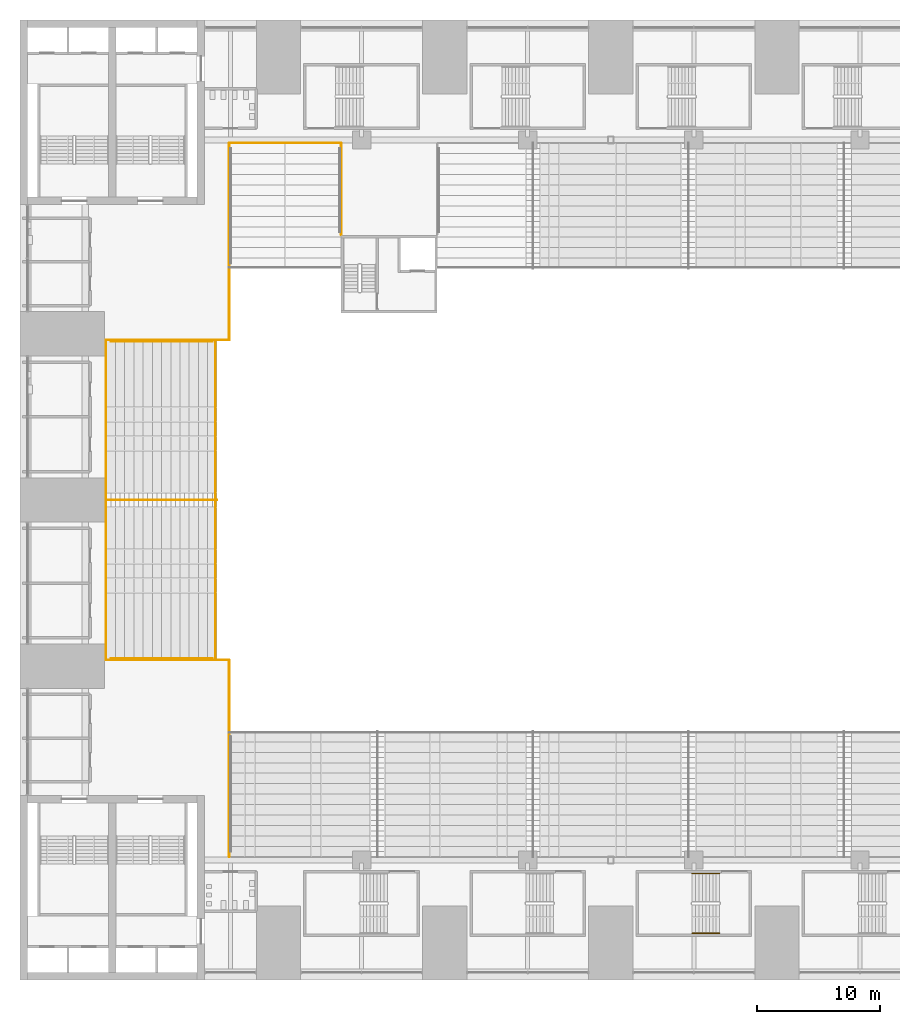
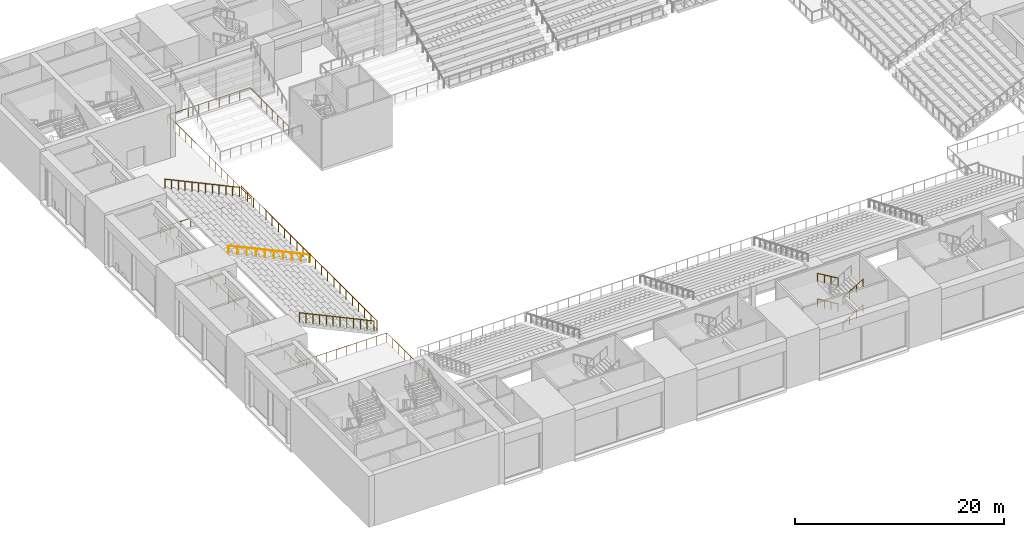
# One storey, part 53 of 61: 4 railings.
"""IFC4 building model written with IfcOpenShell, lengths in metres."""

from ifc_helpers import new_model, si_unit, direction, frame, origin, origin_2d, place, context, subcontext, project, spatial, circle, extrude, material, type_object, element, save


model = new_model("IFC4")

# Units and contexts
model_context = context("Model", 3, precision=1e-05, world=origin(), true_north=direction((0.0, 1.0)))
body_context = subcontext(model_context, "Body", "Model", "MODEL_VIEW")
ifc_project = project(units=[si_unit("LENGTHUNIT", "METRE"), si_unit("AREAUNIT", "SQUARE_METRE"), si_unit("VOLUMEUNIT", "CUBIC_METRE"), si_unit("PLANEANGLEUNIT", "RADIAN"), si_unit("MASSUNIT", "GRAM", prefix="KILO")], contexts=[model_context])

# Site, building, storey
site_placement = place(None, origin())
site = spatial("IfcSite", under=ifc_project, at=site_placement, CompositionType="ELEMENT")
building_placement = place(site_placement, origin())
building = spatial("IfcBuilding", under=site, at=building_placement, Name="Corbelhall Arena Tower", CompositionType="ELEMENT")
storey_placement = place(building_placement, frame((0.0, 0.0, 31.0)))
storey = spatial("IfcBuildingStorey", under=building, at=storey_placement, Name="L04", CompositionType="ELEMENT", Elevation=31.0)

# Railings
ifc_material_1 = material(Name="Stainless steel A4 and laminated glass", Category="steel")
railing_type_1 = type_object("IfcRailingType", Name="AR-GUARD-GLASS", PredefinedType="GUARDRAIL", material=ifc_material_1)
railing_1_placement = place(storey_placement, frame((-32.10009765625, 13.0, 1.800048828125)))
element("IfcRailing", 1, at=railing_1_placement, inside=storey, type_object=railing_type_1, Name="Tier guards UW", PredefinedType="GUARDRAIL", context=body_context, shape_type="SweptSolid", body=[
    extrude(circle(Radius=0.02392578125, at=origin_2d()), frame((0.0, 0.0, 1.076171875), z_axis=(0.0, -1.0, 0.0), x_axis=(1.0, 0.0, 0.0)), (0.0, 0.0, 1.0), 26.0),
    extrude(circle(Radius=0.02392578125, at=origin_2d()), frame((-0.27490234375, -0.1201171875, 1.076171875), z_axis=(-0.906250957626, 0.0, 0.422740111419), x_axis=(0.0, -1.0, 0.0)), (0.0, 0.0, 1.0), 0.82763671875),
    extrude(circle(Radius=0.02392578125, at=origin_2d()), frame((-1.02490234375, -0.1201171875, 1.42578125), z_axis=(-0.906137920931, 0.0, 0.42298234981), x_axis=(0.0, -1.0, 0.0)), (0.0, 0.0, 1.0), 0.82763671875),
    extrude(circle(Radius=0.02392578125, at=origin_2d()), frame((-1.77490234375, -0.1201171875, 1.77587890625), z_axis=(-0.906137920931, 0.0, 0.42298234981), x_axis=(0.0, -1.0, 0.0)), (0.0, 0.0, 1.0), 0.82763671875),
    extrude(circle(Radius=0.02392578125, at=origin_2d()), frame((-2.52490234375, -0.1201171875, 2.1259765625), z_axis=(-0.906250957626, 0.0, 0.422740111419), x_axis=(0.0, -1.0, 0.0)), (0.0, 0.0, 1.0), 0.82763671875),
    extrude(circle(Radius=0.02392578125, at=origin_2d()), frame((-3.27490234375, -0.1201171875, 2.47607421875), z_axis=(-0.906137920931, 0.0, 0.42298234981), x_axis=(0.0, -1.0, 0.0)), (0.0, 0.0, 1.0), 0.82763671875),
    extrude(circle(Radius=0.02392578125, at=origin_2d()), frame((-4.02490234375, -0.1201171875, 2.826171875), z_axis=(-0.906250957626, 0.0, 0.422740111419), x_axis=(0.0, -1.0, 0.0)), (0.0, 0.0, 1.0), 0.82763671875),
    extrude(circle(Radius=0.02392578125, at=origin_2d()), frame((-4.77490234375, -0.1201171875, 3.17578125), z_axis=(-0.906137920931, 0.0, 0.42298234981), x_axis=(0.0, -1.0, 0.0)), (0.0, 0.0, 1.0), 0.82763671875),
    extrude(circle(Radius=0.02392578125, at=origin_2d()), frame((-5.52490234375, -0.1201171875, 3.52587890625), z_axis=(-0.906137920931, 0.0, 0.42298234981), x_axis=(0.0, -1.0, 0.0)), (0.0, 0.0, 1.0), 0.82763671875),
    extrude(circle(Radius=0.02392578125, at=origin_2d()), frame((-6.27490234375, -0.1201171875, 3.8759765625), z_axis=(-0.906250957626, 0.0, 0.422740111419), x_axis=(0.0, -1.0, 0.0)), (0.0, 0.0, 1.0), 0.82763671875),
    extrude(circle(Radius=0.02392578125, at=origin_2d()), frame((-7.02490234375, -0.1201171875, 4.22607421875), z_axis=(-0.906137920931, 0.0, 0.42298234981), x_axis=(0.0, -1.0, 0.0)), (0.0, 0.0, 1.0), 0.82763671875),
    extrude(circle(Radius=0.02392578125, at=origin_2d()), frame((-7.77490234375, -0.1201171875, 4.576171875), z_axis=(-0.906250957626, 0.0, 0.422740111419), x_axis=(0.0, -1.0, 0.0)), (0.0, 0.0, 1.0), 0.82763671875),
    extrude(circle(Radius=0.02392578125, at=origin_2d()), frame((-0.27490234375, -25.8798828125, 1.076171875), z_axis=(-0.906250957626, 0.0, 0.422740111419), x_axis=(0.0, -1.0, 0.0)), (0.0, 0.0, 1.0), 0.82763671875),
    extrude(circle(Radius=0.02392578125, at=origin_2d()), frame((-1.02490234375, -25.8798828125, 1.42578125), z_axis=(-0.906137920931, 0.0, 0.42298234981), x_axis=(0.0, -1.0, 0.0)), (0.0, 0.0, 1.0), 0.82763671875),
    extrude(circle(Radius=0.02392578125, at=origin_2d()), frame((-1.77490234375, -25.8798828125, 1.77587890625), z_axis=(-0.906137920931, 0.0, 0.42298234981), x_axis=(0.0, -1.0, 0.0)), (0.0, 0.0, 1.0), 0.82763671875),
    extrude(circle(Radius=0.02392578125, at=origin_2d()), frame((-2.52490234375, -25.8798828125, 2.1259765625), z_axis=(-0.906250957626, 0.0, 0.422740111419), x_axis=(0.0, -1.0, 0.0)), (0.0, 0.0, 1.0), 0.82763671875),
    extrude(circle(Radius=0.02392578125, at=origin_2d()), frame((-3.27490234375, -25.8798828125, 2.47607421875), z_axis=(-0.906137920931, 0.0, 0.42298234981), x_axis=(0.0, -1.0, 0.0)), (0.0, 0.0, 1.0), 0.82763671875),
    extrude(circle(Radius=0.02392578125, at=origin_2d()), frame((-4.02490234375, -25.8798828125, 2.826171875), z_axis=(-0.906250957626, 0.0, 0.422740111419), x_axis=(0.0, -1.0, 0.0)), (0.0, 0.0, 1.0), 0.82763671875),
    extrude(circle(Radius=0.02392578125, at=origin_2d()), frame((-4.77490234375, -25.8798828125, 3.17578125), z_axis=(-0.906137920931, 0.0, 0.42298234981), x_axis=(0.0, -1.0, 0.0)), (0.0, 0.0, 1.0), 0.82763671875),
    extrude(circle(Radius=0.02392578125, at=origin_2d()), frame((-5.52490234375, -25.8798828125, 3.52587890625), z_axis=(-0.906137920931, 0.0, 0.42298234981), x_axis=(0.0, -1.0, 0.0)), (0.0, 0.0, 1.0), 0.82763671875),
    extrude(circle(Radius=0.02392578125, at=origin_2d()), frame((-6.27490234375, -25.8798828125, 3.8759765625), z_axis=(-0.906250957626, 0.0, 0.422740111419), x_axis=(0.0, -1.0, 0.0)), (0.0, 0.0, 1.0), 0.82763671875),
    extrude(circle(Radius=0.02392578125, at=origin_2d()), frame((-7.02490234375, -25.8798828125, 4.22607421875), z_axis=(-0.906137920931, 0.0, 0.42298234981), x_axis=(0.0, -1.0, 0.0)), (0.0, 0.0, 1.0), 0.82763671875),
    extrude(circle(Radius=0.02392578125, at=origin_2d()), frame((-7.77490234375, -25.8798828125, 4.576171875), z_axis=(-0.906250957626, 0.0, 0.422740111419), x_axis=(0.0, -1.0, 0.0)), (0.0, 0.0, 1.0), 0.82763671875),
    extrude(circle(Radius=0.02099609375, at=origin_2d()), origin(), (0.0, 0.0, 1.0), 1.052001953125),
    extrude(circle(Radius=0.02099609375, at=origin_2d()), frame((0.0, -1.181884765625, 0.0)), (0.0, 0.0, 1.0), 1.052001953125),
    extrude(circle(Radius=0.02099609375, at=origin_2d()), frame((0.0, -2.363525390625, 0.0)), (0.0, 0.0, 1.0), 1.052001953125),
    extrude(circle(Radius=0.02099609375, at=origin_2d()), frame((0.0, -3.54541015625, 0.0)), (0.0, 0.0, 1.0), 1.052001953125),
    extrude(circle(Radius=0.02099609375, at=origin_2d()), frame((0.0, -4.727294921875, 0.0)), (0.0, 0.0, 1.0), 1.052001953125),
    extrude(circle(Radius=0.02099609375, at=origin_2d()), frame((0.0, -5.9091796875, 0.0)), (0.0, 0.0, 1.0), 1.052001953125),
    extrude(circle(Radius=0.02099609375, at=origin_2d()), frame((0.0, -7.0908203125, 0.0)), (0.0, 0.0, 1.0), 1.052001953125),
    extrude(circle(Radius=0.02099609375, at=origin_2d()), frame((0.0, -8.272705078125, 0.0)), (0.0, 0.0, 1.0), 1.052001953125),
    extrude(circle(Radius=0.02099609375, at=origin_2d()), frame((0.0, -9.45458984375, 0.0)), (0.0, 0.0, 1.0), 1.052001953125),
    extrude(circle(Radius=0.02099609375, at=origin_2d()), frame((0.0, -10.636474609375, 0.0)), (0.0, 0.0, 1.0), 1.052001953125),
    extrude(circle(Radius=0.02099609375, at=origin_2d()), frame((0.0, -11.818115234375, 0.0)), (0.0, 0.0, 1.0), 1.052001953125),
    extrude(circle(Radius=0.02099609375, at=origin_2d()), frame((0.0, -13.0, 0.0)), (0.0, 0.0, 1.0), 1.052001953125),
    extrude(circle(Radius=0.02099609375, at=origin_2d()), frame((0.0, -14.181884765625, 0.0)), (0.0, 0.0, 1.0), 1.052001953125),
    extrude(circle(Radius=0.02099609375, at=origin_2d()), frame((0.0, -15.363525390625, 0.0)), (0.0, 0.0, 1.0), 1.052001953125),
    extrude(circle(Radius=0.02099609375, at=origin_2d()), frame((0.0, -16.54541015625, 0.0)), (0.0, 0.0, 1.0), 1.052001953125),
    extrude(circle(Radius=0.02099609375, at=origin_2d()), frame((0.0, -17.727294921875, 0.0)), (0.0, 0.0, 1.0), 1.052001953125),
    extrude(circle(Radius=0.02099609375, at=origin_2d()), frame((0.0, -18.9091796875, 0.0)), (0.0, 0.0, 1.0), 1.052001953125),
    extrude(circle(Radius=0.02099609375, at=origin_2d()), frame((0.0, -20.0908203125, 0.0)), (0.0, 0.0, 1.0), 1.052001953125),
    extrude(circle(Radius=0.02099609375, at=origin_2d()), frame((0.0, -21.272705078125, 0.0)), (0.0, 0.0, 1.0), 1.052001953125),
    extrude(circle(Radius=0.02099609375, at=origin_2d()), frame((0.0, -22.45458984375, 0.0)), (0.0, 0.0, 1.0), 1.052001953125),
    extrude(circle(Radius=0.02099609375, at=origin_2d()), frame((0.0, -23.636474609375, 0.0)), (0.0, 0.0, 1.0), 1.052001953125),
    extrude(circle(Radius=0.02099609375, at=origin_2d()), frame((0.0, -24.818115234375, 0.0)), (0.0, 0.0, 1.0), 1.052001953125),
    extrude(circle(Radius=0.02099609375, at=origin_2d()), frame((0.0, -26.0, 0.0)), (0.0, 0.0, 1.0), 1.052001953125),
    extrude(circle(Radius=0.02099609375, at=origin_2d()), frame((-0.27490234375, -0.1201171875, 0.0)), (0.0, 0.0, 1.0), 1.052001953125),
    extrude(circle(Radius=0.02099609375, at=origin_2d()), frame((-1.02490234375, -0.1201171875, 0.349853515625)), (0.0, 0.0, 1.0), 1.052001953125),
    extrude(circle(Radius=0.02099609375, at=origin_2d()), frame((-1.77490234375, -0.1201171875, 0.699951171875)), (0.0, 0.0, 1.0), 1.052001953125),
    extrude(circle(Radius=0.02099609375, at=origin_2d()), frame((-2.52490234375, -0.1201171875, 1.050048828125)), (0.0, 0.0, 1.0), 1.052001953125),
    extrude(circle(Radius=0.02099609375, at=origin_2d()), frame((-3.27490234375, -0.1201171875, 1.39990234375)), (0.0, 0.0, 1.0), 1.052001953125),
    extrude(circle(Radius=0.02099609375, at=origin_2d()), frame((-4.02490234375, -0.1201171875, 1.75)), (0.0, 0.0, 1.0), 1.052001953125),
    extrude(circle(Radius=0.02099609375, at=origin_2d()), frame((-4.77490234375, -0.1201171875, 2.099853515625)), (0.0, 0.0, 1.0), 1.052001953125),
    extrude(circle(Radius=0.02099609375, at=origin_2d()), frame((-5.52490234375, -0.1201171875, 2.449951171875)), (0.0, 0.0, 1.0), 1.052001953125),
    extrude(circle(Radius=0.02099609375, at=origin_2d()), frame((-6.27490234375, -0.1201171875, 2.800048828125)), (0.0, 0.0, 1.0), 1.052001953125),
    extrude(circle(Radius=0.02099609375, at=origin_2d()), frame((-7.02490234375, -0.1201171875, 3.14990234375)), (0.0, 0.0, 1.0), 1.052001953125),
    extrude(circle(Radius=0.02099609375, at=origin_2d()), frame((-7.77490234375, -0.1201171875, 3.5)), (0.0, 0.0, 1.0), 1.052001953125),
    extrude(circle(Radius=0.02099609375, at=origin_2d()), frame((-8.52490234375, -0.1201171875, 3.849853515625)), (0.0, 0.0, 1.0), 1.052001953125),
    extrude(circle(Radius=0.02099609375, at=origin_2d()), frame((-0.27490234375, -25.8798828125, 0.0)), (0.0, 0.0, 1.0), 1.052001953125),
    extrude(circle(Radius=0.02099609375, at=origin_2d()), frame((-1.02490234375, -25.8798828125, 0.349853515625)), (0.0, 0.0, 1.0), 1.052001953125),
    extrude(circle(Radius=0.02099609375, at=origin_2d()), frame((-1.77490234375, -25.8798828125, 0.699951171875)), (0.0, 0.0, 1.0), 1.052001953125),
    extrude(circle(Radius=0.02099609375, at=origin_2d()), frame((-2.52490234375, -25.8798828125, 1.050048828125)), (0.0, 0.0, 1.0), 1.052001953125),
    extrude(circle(Radius=0.02099609375, at=origin_2d()), frame((-3.27490234375, -25.8798828125, 1.39990234375)), (0.0, 0.0, 1.0), 1.052001953125),
    extrude(circle(Radius=0.02099609375, at=origin_2d()), frame((-4.02490234375, -25.8798828125, 1.75)), (0.0, 0.0, 1.0), 1.052001953125),
    extrude(circle(Radius=0.02099609375, at=origin_2d()), frame((-4.77490234375, -25.8798828125, 2.099853515625)), (0.0, 0.0, 1.0), 1.052001953125),
    extrude(circle(Radius=0.02099609375, at=origin_2d()), frame((-5.52490234375, -25.8798828125, 2.449951171875)), (0.0, 0.0, 1.0), 1.052001953125),
    extrude(circle(Radius=0.02099609375, at=origin_2d()), frame((-6.27490234375, -25.8798828125, 2.800048828125)), (0.0, 0.0, 1.0), 1.052001953125),
    extrude(circle(Radius=0.02099609375, at=origin_2d()), frame((-7.02490234375, -25.8798828125, 3.14990234375)), (0.0, 0.0, 1.0), 1.052001953125),
    extrude(circle(Radius=0.02099609375, at=origin_2d()), frame((-7.77490234375, -25.8798828125, 3.5)), (0.0, 0.0, 1.0), 1.052001953125),
    extrude(circle(Radius=0.02099609375, at=origin_2d()), frame((-8.52490234375, -25.8798828125, 3.849853515625)), (0.0, 0.0, 1.0), 1.052001953125),
])
railing_2_placement = place(storey_placement, frame((-31.0, -29.0, 0.0)))
element("IfcRailing", 2, at=railing_2_placement, inside=storey, type_object=railing_type_1, Name="Bowl void guard L04 1", PredefinedType="GUARDRAIL", context=body_context, shape_type="SweptSolid", body=[
    extrude(circle(Radius=0.02392578125, at=origin_2d()), frame((0.0, 0.0, 1.076171875), z_axis=(0.0, 1.0, 0.0), x_axis=(-1.0, 0.0, 0.0)), (0.0, 0.0, 1.0), 16.0),
    extrude(circle(Radius=0.02392578125, at=origin_2d()), frame((0.0, 16.0, 1.076171875), z_axis=(-1.0, 0.0, 0.0), x_axis=(0.0, -1.0, 0.0)), (0.0, 0.0, 1.0), 10.0),
    extrude(circle(Radius=0.02392578125, at=origin_2d()), frame((-10.0, 16.0, 1.076171875), z_axis=(0.0, 1.0, 0.0), x_axis=(-1.0, 0.0, 0.0)), (0.0, 0.0, 1.0), 26.0),
    extrude(circle(Radius=0.02392578125, at=origin_2d()), frame((-10.0, 42.0, 1.076171875), z_axis=(1.0, 0.0, 0.0), x_axis=(0.0, 1.0, 0.0)), (0.0, 0.0, 1.0), 10.0),
    extrude(circle(Radius=0.02392578125, at=origin_2d()), frame((0.0, 42.0, 1.076171875), z_axis=(0.0, 1.0, 0.0), x_axis=(-1.0, 0.0, 0.0)), (0.0, 0.0, 1.0), 16.0),
    extrude(circle(Radius=0.02392578125, at=origin_2d()), frame((0.0, 58.0, 1.076171875), z_axis=(1.0, 0.0, 0.0), x_axis=(0.0, 1.0, 0.0)), (0.0, 0.0, 1.0), 9.10009765625),
    extrude(circle(Radius=0.02392578125, at=origin_2d()), frame((9.10009765625, 58.0, 1.076171875), z_axis=(0.0, -1.0, 0.0), x_axis=(1.0, 0.0, 0.0)), (0.0, 0.0, 1.0), 7.449951171875),
    extrude(circle(Radius=0.02099609375, at=origin_2d()), origin(), (0.0, 0.0, 1.0), 1.052001953125),
    extrude(circle(Radius=0.02099609375, at=origin_2d()), frame((0.0, 1.142822265625, 0.0)), (0.0, 0.0, 1.0), 1.052001953125),
    extrude(circle(Radius=0.02099609375, at=origin_2d()), frame((0.0, 2.28564453125, 0.0)), (0.0, 0.0, 1.0), 1.052001953125),
    extrude(circle(Radius=0.02099609375, at=origin_2d()), frame((0.0, 3.428466796875, 0.0)), (0.0, 0.0, 1.0), 1.052001953125),
    extrude(circle(Radius=0.02099609375, at=origin_2d()), frame((0.0, 4.571533203125, 0.0)), (0.0, 0.0, 1.0), 1.052001953125),
    extrude(circle(Radius=0.02099609375, at=origin_2d()), frame((0.0, 5.71435546875, 0.0)), (0.0, 0.0, 1.0), 1.052001953125),
    extrude(circle(Radius=0.02099609375, at=origin_2d()), frame((0.0, 6.857177734375, 0.0)), (0.0, 0.0, 1.0), 1.052001953125),
    extrude(circle(Radius=0.02099609375, at=origin_2d()), frame((0.0, 8.0, 0.0)), (0.0, 0.0, 1.0), 1.052001953125),
    extrude(circle(Radius=0.02099609375, at=origin_2d()), frame((0.0, 9.142822265625, 0.0)), (0.0, 0.0, 1.0), 1.052001953125),
    extrude(circle(Radius=0.02099609375, at=origin_2d()), frame((0.0, 10.28564453125, 0.0)), (0.0, 0.0, 1.0), 1.052001953125),
    extrude(circle(Radius=0.02099609375, at=origin_2d()), frame((0.0, 11.428466796875, 0.0)), (0.0, 0.0, 1.0), 1.052001953125),
    extrude(circle(Radius=0.02099609375, at=origin_2d()), frame((0.0, 12.571533203125, 0.0)), (0.0, 0.0, 1.0), 1.052001953125),
    extrude(circle(Radius=0.02099609375, at=origin_2d()), frame((0.0, 13.71435546875, 0.0)), (0.0, 0.0, 1.0), 1.052001953125),
    extrude(circle(Radius=0.02099609375, at=origin_2d()), frame((0.0, 14.857177734375, 0.0)), (0.0, 0.0, 1.0), 1.052001953125),
    extrude(circle(Radius=0.02099609375, at=origin_2d()), frame((0.0, 16.0, 0.0)), (0.0, 0.0, 1.0), 1.052001953125),
    extrude(circle(Radius=0.02099609375, at=origin_2d()), frame((-1.111083984375, 16.0, 0.0)), (0.0, 0.0, 1.0), 1.052001953125),
    extrude(circle(Radius=0.02099609375, at=origin_2d()), frame((-2.22216796875, 16.0, 0.0)), (0.0, 0.0, 1.0), 1.052001953125),
    extrude(circle(Radius=0.02099609375, at=origin_2d()), frame((-3.333251953125, 16.0, 0.0)), (0.0, 0.0, 1.0), 1.052001953125),
    extrude(circle(Radius=0.02099609375, at=origin_2d()), frame((-4.4443359375, 16.0, 0.0)), (0.0, 0.0, 1.0), 1.052001953125),
    extrude(circle(Radius=0.02099609375, at=origin_2d()), frame((-5.5556640625, 16.0, 0.0)), (0.0, 0.0, 1.0), 1.052001953125),
    extrude(circle(Radius=0.02099609375, at=origin_2d()), frame((-6.666748046875, 16.0, 0.0)), (0.0, 0.0, 1.0), 1.052001953125),
    extrude(circle(Radius=0.02099609375, at=origin_2d()), frame((-7.77783203125, 16.0, 0.0)), (0.0, 0.0, 1.0), 1.052001953125),
    extrude(circle(Radius=0.02099609375, at=origin_2d()), frame((-8.888916015625, 16.0, 0.0)), (0.0, 0.0, 1.0), 1.052001953125),
    extrude(circle(Radius=0.02099609375, at=origin_2d()), frame((-10.0, 16.0, 0.0)), (0.0, 0.0, 1.0), 1.052001953125),
    extrude(circle(Radius=0.02099609375, at=origin_2d()), frame((-10.0, 17.181884765625, 0.0)), (0.0, 0.0, 1.0), 1.052001953125),
    extrude(circle(Radius=0.02099609375, at=origin_2d()), frame((-10.0, 18.363525390625, 0.0)), (0.0, 0.0, 1.0), 1.052001953125),
    extrude(circle(Radius=0.02099609375, at=origin_2d()), frame((-10.0, 19.54541015625, 0.0)), (0.0, 0.0, 1.0), 1.052001953125),
    extrude(circle(Radius=0.02099609375, at=origin_2d()), frame((-10.0, 20.727294921875, 0.0)), (0.0, 0.0, 1.0), 1.052001953125),
    extrude(circle(Radius=0.02099609375, at=origin_2d()), frame((-10.0, 21.9091796875, 0.0)), (0.0, 0.0, 1.0), 1.052001953125),
    extrude(circle(Radius=0.02099609375, at=origin_2d()), frame((-10.0, 23.0908203125, 0.0)), (0.0, 0.0, 1.0), 1.052001953125),
    extrude(circle(Radius=0.02099609375, at=origin_2d()), frame((-10.0, 24.272705078125, 0.0)), (0.0, 0.0, 1.0), 1.052001953125),
    extrude(circle(Radius=0.02099609375, at=origin_2d()), frame((-10.0, 25.45458984375, 0.0)), (0.0, 0.0, 1.0), 1.052001953125),
    extrude(circle(Radius=0.02099609375, at=origin_2d()), frame((-10.0, 26.636474609375, 0.0)), (0.0, 0.0, 1.0), 1.052001953125),
    extrude(circle(Radius=0.02099609375, at=origin_2d()), frame((-10.0, 27.818115234375, 0.0)), (0.0, 0.0, 1.0), 1.052001953125),
    extrude(circle(Radius=0.02099609375, at=origin_2d()), frame((-10.0, 29.0, 0.0)), (0.0, 0.0, 1.0), 1.052001953125),
    extrude(circle(Radius=0.02099609375, at=origin_2d()), frame((-10.0, 30.181884765625, 0.0)), (0.0, 0.0, 1.0), 1.052001953125),
    extrude(circle(Radius=0.02099609375, at=origin_2d()), frame((-10.0, 31.363525390625, 0.0)), (0.0, 0.0, 1.0), 1.052001953125),
    extrude(circle(Radius=0.02099609375, at=origin_2d()), frame((-10.0, 32.54541015625, 0.0)), (0.0, 0.0, 1.0), 1.052001953125),
    extrude(circle(Radius=0.02099609375, at=origin_2d()), frame((-10.0, 33.727294921875, 0.0)), (0.0, 0.0, 1.0), 1.052001953125),
    extrude(circle(Radius=0.02099609375, at=origin_2d()), frame((-10.0, 34.9091796875, 0.0)), (0.0, 0.0, 1.0), 1.052001953125),
    extrude(circle(Radius=0.02099609375, at=origin_2d()), frame((-10.0, 36.0908203125, 0.0)), (0.0, 0.0, 1.0), 1.052001953125),
    extrude(circle(Radius=0.02099609375, at=origin_2d()), frame((-10.0, 37.272705078125, 0.0)), (0.0, 0.0, 1.0), 1.052001953125),
    extrude(circle(Radius=0.02099609375, at=origin_2d()), frame((-10.0, 38.45458984375, 0.0)), (0.0, 0.0, 1.0), 1.052001953125),
    extrude(circle(Radius=0.02099609375, at=origin_2d()), frame((-10.0, 39.636474609375, 0.0)), (0.0, 0.0, 1.0), 1.052001953125),
    extrude(circle(Radius=0.02099609375, at=origin_2d()), frame((-10.0, 40.818115234375, 0.0)), (0.0, 0.0, 1.0), 1.052001953125),
    extrude(circle(Radius=0.02099609375, at=origin_2d()), frame((-10.0, 42.0, 0.0)), (0.0, 0.0, 1.0), 1.052001953125),
    extrude(circle(Radius=0.02099609375, at=origin_2d()), frame((-8.888916015625, 42.0, 0.0)), (0.0, 0.0, 1.0), 1.052001953125),
    extrude(circle(Radius=0.02099609375, at=origin_2d()), frame((-7.77783203125, 42.0, 0.0)), (0.0, 0.0, 1.0), 1.052001953125),
    extrude(circle(Radius=0.02099609375, at=origin_2d()), frame((-6.666748046875, 42.0, 0.0)), (0.0, 0.0, 1.0), 1.052001953125),
    extrude(circle(Radius=0.02099609375, at=origin_2d()), frame((-5.5556640625, 42.0, 0.0)), (0.0, 0.0, 1.0), 1.052001953125),
    extrude(circle(Radius=0.02099609375, at=origin_2d()), frame((-4.4443359375, 42.0, 0.0)), (0.0, 0.0, 1.0), 1.052001953125),
    extrude(circle(Radius=0.02099609375, at=origin_2d()), frame((-3.333251953125, 42.0, 0.0)), (0.0, 0.0, 1.0), 1.052001953125),
    extrude(circle(Radius=0.02099609375, at=origin_2d()), frame((-2.22216796875, 42.0, 0.0)), (0.0, 0.0, 1.0), 1.052001953125),
    extrude(circle(Radius=0.02099609375, at=origin_2d()), frame((-1.111083984375, 42.0, 0.0)), (0.0, 0.0, 1.0), 1.052001953125),
    extrude(circle(Radius=0.02099609375, at=origin_2d()), frame((0.0, 42.0, 0.0)), (0.0, 0.0, 1.0), 1.052001953125),
    extrude(circle(Radius=0.02099609375, at=origin_2d()), frame((0.0, 43.142822265625, 0.0)), (0.0, 0.0, 1.0), 1.052001953125),
    extrude(circle(Radius=0.02099609375, at=origin_2d()), frame((0.0, 44.28564453125, 0.0)), (0.0, 0.0, 1.0), 1.052001953125),
    extrude(circle(Radius=0.02099609375, at=origin_2d()), frame((0.0, 45.428466796875, 0.0)), (0.0, 0.0, 1.0), 1.052001953125),
    extrude(circle(Radius=0.02099609375, at=origin_2d()), frame((0.0, 46.571533203125, 0.0)), (0.0, 0.0, 1.0), 1.052001953125),
    extrude(circle(Radius=0.02099609375, at=origin_2d()), frame((0.0, 47.71435546875, 0.0)), (0.0, 0.0, 1.0), 1.052001953125),
    extrude(circle(Radius=0.02099609375, at=origin_2d()), frame((0.0, 48.857177734375, 0.0)), (0.0, 0.0, 1.0), 1.052001953125),
    extrude(circle(Radius=0.02099609375, at=origin_2d()), frame((0.0, 50.0, 0.0)), (0.0, 0.0, 1.0), 1.052001953125),
    extrude(circle(Radius=0.02099609375, at=origin_2d()), frame((0.0, 51.142822265625, 0.0)), (0.0, 0.0, 1.0), 1.052001953125),
    extrude(circle(Radius=0.02099609375, at=origin_2d()), frame((0.0, 52.28564453125, 0.0)), (0.0, 0.0, 1.0), 1.052001953125),
    extrude(circle(Radius=0.02099609375, at=origin_2d()), frame((0.0, 53.428466796875, 0.0)), (0.0, 0.0, 1.0), 1.052001953125),
    extrude(circle(Radius=0.02099609375, at=origin_2d()), frame((0.0, 54.571533203125, 0.0)), (0.0, 0.0, 1.0), 1.052001953125),
    extrude(circle(Radius=0.02099609375, at=origin_2d()), frame((0.0, 55.71435546875, 0.0)), (0.0, 0.0, 1.0), 1.052001953125),
    extrude(circle(Radius=0.02099609375, at=origin_2d()), frame((0.0, 56.857177734375, 0.0)), (0.0, 0.0, 1.0), 1.052001953125),
    extrude(circle(Radius=0.02099609375, at=origin_2d()), frame((0.0, 58.0, 0.0)), (0.0, 0.0, 1.0), 1.052001953125),
    extrude(circle(Radius=0.02099609375, at=origin_2d()), frame((1.137451171875, 58.0, 0.0)), (0.0, 0.0, 1.0), 1.052001953125),
    extrude(circle(Radius=0.02099609375, at=origin_2d()), frame((2.27490234375, 58.0, 0.0)), (0.0, 0.0, 1.0), 1.052001953125),
    extrude(circle(Radius=0.02099609375, at=origin_2d()), frame((3.41259765625, 58.0, 0.0)), (0.0, 0.0, 1.0), 1.052001953125),
    extrude(circle(Radius=0.02099609375, at=origin_2d()), frame((4.550048828125, 58.0, 0.0)), (0.0, 0.0, 1.0), 1.052001953125),
    extrude(circle(Radius=0.02099609375, at=origin_2d()), frame((5.6875, 58.0, 0.0)), (0.0, 0.0, 1.0), 1.052001953125),
    extrude(circle(Radius=0.02099609375, at=origin_2d()), frame((6.8251953125, 58.0, 0.0)), (0.0, 0.0, 1.0), 1.052001953125),
    extrude(circle(Radius=0.02099609375, at=origin_2d()), frame((7.962646484375, 58.0, 0.0)), (0.0, 0.0, 1.0), 1.052001953125),
    extrude(circle(Radius=0.02099609375, at=origin_2d()), frame((9.10009765625, 58.0, 0.0)), (0.0, 0.0, 1.0), 1.052001953125),
    extrude(circle(Radius=0.02099609375, at=origin_2d()), frame((9.10009765625, 56.935791015625, 0.0)), (0.0, 0.0, 1.0), 1.052001953125),
    extrude(circle(Radius=0.02099609375, at=origin_2d()), frame((9.10009765625, 55.871337890625, 0.0)), (0.0, 0.0, 1.0), 1.052001953125),
    extrude(circle(Radius=0.02099609375, at=origin_2d()), frame((9.10009765625, 54.80712890625, 0.0)), (0.0, 0.0, 1.0), 1.052001953125),
    extrude(circle(Radius=0.02099609375, at=origin_2d()), frame((9.10009765625, 53.742919921875, 0.0)), (0.0, 0.0, 1.0), 1.052001953125),
    extrude(circle(Radius=0.02099609375, at=origin_2d()), frame((9.10009765625, 52.6787109375, 0.0)), (0.0, 0.0, 1.0), 1.052001953125),
    extrude(circle(Radius=0.02099609375, at=origin_2d()), frame((9.10009765625, 51.6142578125, 0.0)), (0.0, 0.0, 1.0), 1.052001953125),
    extrude(circle(Radius=0.02099609375, at=origin_2d()), frame((9.10009765625, 50.550048828125, 0.0)), (0.0, 0.0, 1.0), 1.052001953125),
])
ifc_material_2 = material(Name="Stainless steel A4", Category="steel")
railing_type_2 = type_object("IfcRailingType", Name="AR-HANDRAIL-AISLE", PredefinedType="HANDRAIL", material=ifc_material_2)
railing_3_placement = place(storey_placement, frame((-32.0, 0.0, 1.800048828125)))
element("IfcRailing", 3, at=railing_3_placement, inside=storey, type_object=railing_type_2, Name="Aisle handrails UW", PredefinedType="HANDRAIL", context=body_context, shape_type="SweptSolid", body=[
    extrude(circle(Radius=0.02392578125, at=origin_2d()), frame((0.0, 0.0, 0.8759765625), z_axis=(-0.906185023996, 0.0, 0.422881428163), x_axis=(0.0, -1.0, 0.0)), (0.0, 0.0, 1.0), 9.931640625),
    extrude(circle(Radius=0.02099609375, at=origin_2d()), origin(), (0.0, 0.0, 1.0), 0.851806640625),
    extrude(circle(Radius=0.02099609375, at=origin_2d()), frame((-1.0, 0.0, 0.466552734375)), (0.0, 0.0, 1.0), 0.851806640625),
    extrude(circle(Radius=0.02099609375, at=origin_2d()), frame((-2.0, 0.0, 0.933349609375)), (0.0, 0.0, 1.0), 0.851806640625),
    extrude(circle(Radius=0.02099609375, at=origin_2d()), frame((-3.0, 0.0, 1.39990234375)), (0.0, 0.0, 1.0), 0.851806640625),
    extrude(circle(Radius=0.02099609375, at=origin_2d()), frame((-4.0, 0.0, 1.86669921875)), (0.0, 0.0, 1.0), 0.851806640625),
    extrude(circle(Radius=0.02099609375, at=origin_2d()), frame((-5.0, 0.0, 2.333251953125)), (0.0, 0.0, 1.0), 0.851806640625),
    extrude(circle(Radius=0.02099609375, at=origin_2d()), frame((-6.0, 0.0, 2.800048828125)), (0.0, 0.0, 1.0), 0.851806640625),
    extrude(circle(Radius=0.02099609375, at=origin_2d()), frame((-7.0, 0.0, 3.2666015625)), (0.0, 0.0, 1.0), 0.851806640625),
    extrude(circle(Radius=0.02099609375, at=origin_2d()), frame((-8.0, 0.0, 3.7333984375)), (0.0, 0.0, 1.0), 0.851806640625),
    extrude(circle(Radius=0.02099609375, at=origin_2d()), frame((-9.0, 0.0, 4.199951171875)), (0.0, 0.0, 1.0), 0.851806640625),
])
railing_type_3 = type_object("IfcRailingType", Name="AR-STAIR-HANDRAIL", PredefinedType="HANDRAIL", material=ifc_material_2)
railing_4_placement = place(storey_placement, frame((8.85009765625, -30.35009765625, 0.166748046875)))
element("IfcRailing", 4, at=railing_4_placement, inside=storey, type_object=railing_type_3, Name="L04 AS15 stair handrails", PredefinedType="HANDRAIL", context=body_context, shape_type="SweptSolid", body=[
    extrude(circle(Radius=0.02392578125, at=origin_2d()), frame((0.0, 0.0, 0.8759765625), z_axis=(-0.859305625298, 0.0, 0.511462454469), x_axis=(0.0, -1.0, 0.0)), (0.0, 0.0, 1.0), 2.606689453125),
    extrude(circle(Radius=0.02392578125, at=origin_2d()), frame((-2.239990234375, -4.849853515625, 2.3759765625), z_axis=(0.859305625298, 0.0, 0.511462454469), x_axis=(0.0, 1.0, 0.0)), (0.0, 0.0, 1.0), 2.606689453125),
    extrude(circle(Radius=0.02392578125, at=origin_2d()), frame((0.0, 0.0, 3.8759765625), z_axis=(-0.859305625298, 0.0, 0.511462454469), x_axis=(0.0, -1.0, 0.0)), (0.0, 0.0, 1.0), 2.606689453125),
    extrude(circle(Radius=0.02392578125, at=origin_2d()), frame((-2.239990234375, -4.849853515625, 5.3759765625), z_axis=(0.859305625298, 0.0, 0.511462454469), x_axis=(0.0, 1.0, 0.0)), (0.0, 0.0, 1.0), 2.606689453125),
    extrude(circle(Radius=0.02099609375, at=origin_2d()), origin(), (0.0, 0.0, 1.0), 0.851806640625),
    extrude(circle(Radius=0.02099609375, at=origin_2d()), frame((-0.74658203125, 0.0, 0.4443359375)), (0.0, 0.0, 1.0), 0.851806640625),
    extrude(circle(Radius=0.02099609375, at=origin_2d()), frame((-1.493408203125, 0.0, 0.888916015625)), (0.0, 0.0, 1.0), 0.851806640625),
    extrude(circle(Radius=0.02099609375, at=origin_2d()), frame((-2.239990234375, 0.0, 1.333251953125)), (0.0, 0.0, 1.0), 0.851806640625),
    extrude(circle(Radius=0.02099609375, at=origin_2d()), frame((-2.239990234375, -4.849853515625, 1.5)), (0.0, 0.0, 1.0), 0.851806640625),
    extrude(circle(Radius=0.02099609375, at=origin_2d()), frame((-1.493408203125, -4.849853515625, 1.9443359375)), (0.0, 0.0, 1.0), 0.851806640625),
    extrude(circle(Radius=0.02099609375, at=origin_2d()), frame((-0.74658203125, -4.849853515625, 2.388916015625)), (0.0, 0.0, 1.0), 0.851806640625),
    extrude(circle(Radius=0.02099609375, at=origin_2d()), frame((0.0, -4.849853515625, 2.833251953125)), (0.0, 0.0, 1.0), 0.851806640625),
    extrude(circle(Radius=0.02099609375, at=origin_2d()), frame((0.0, 0.0, 3.0)), (0.0, 0.0, 1.0), 0.851806640625),
    extrude(circle(Radius=0.02099609375, at=origin_2d()), frame((-0.74658203125, 0.0, 3.4443359375)), (0.0, 0.0, 1.0), 0.851806640625),
    extrude(circle(Radius=0.02099609375, at=origin_2d()), frame((-1.493408203125, 0.0, 3.888916015625)), (0.0, 0.0, 1.0), 0.851806640625),
    extrude(circle(Radius=0.02099609375, at=origin_2d()), frame((-2.239990234375, 0.0, 4.333251953125)), (0.0, 0.0, 1.0), 0.851806640625),
    extrude(circle(Radius=0.02099609375, at=origin_2d()), frame((-2.239990234375, -4.849853515625, 4.5)), (0.0, 0.0, 1.0), 0.851806640625),
    extrude(circle(Radius=0.02099609375, at=origin_2d()), frame((-1.493408203125, -4.849853515625, 4.9443359375)), (0.0, 0.0, 1.0), 0.851806640625),
    extrude(circle(Radius=0.02099609375, at=origin_2d()), frame((-0.74658203125, -4.849853515625, 5.388916015625)), (0.0, 0.0, 1.0), 0.851806640625),
    extrude(circle(Radius=0.02099609375, at=origin_2d()), frame((0.0, -4.849853515625, 5.833251953125)), (0.0, 0.0, 1.0), 0.851806640625),
])

save(model, "model.ifc")
